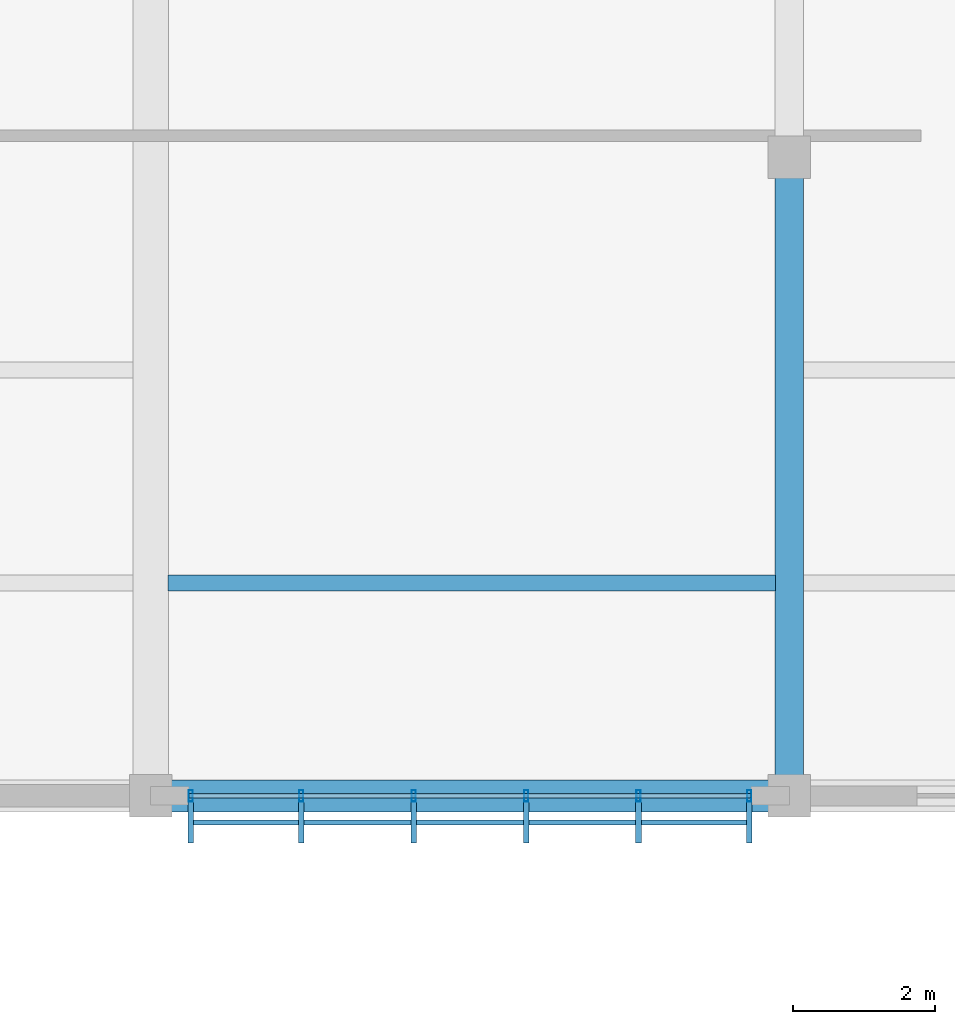
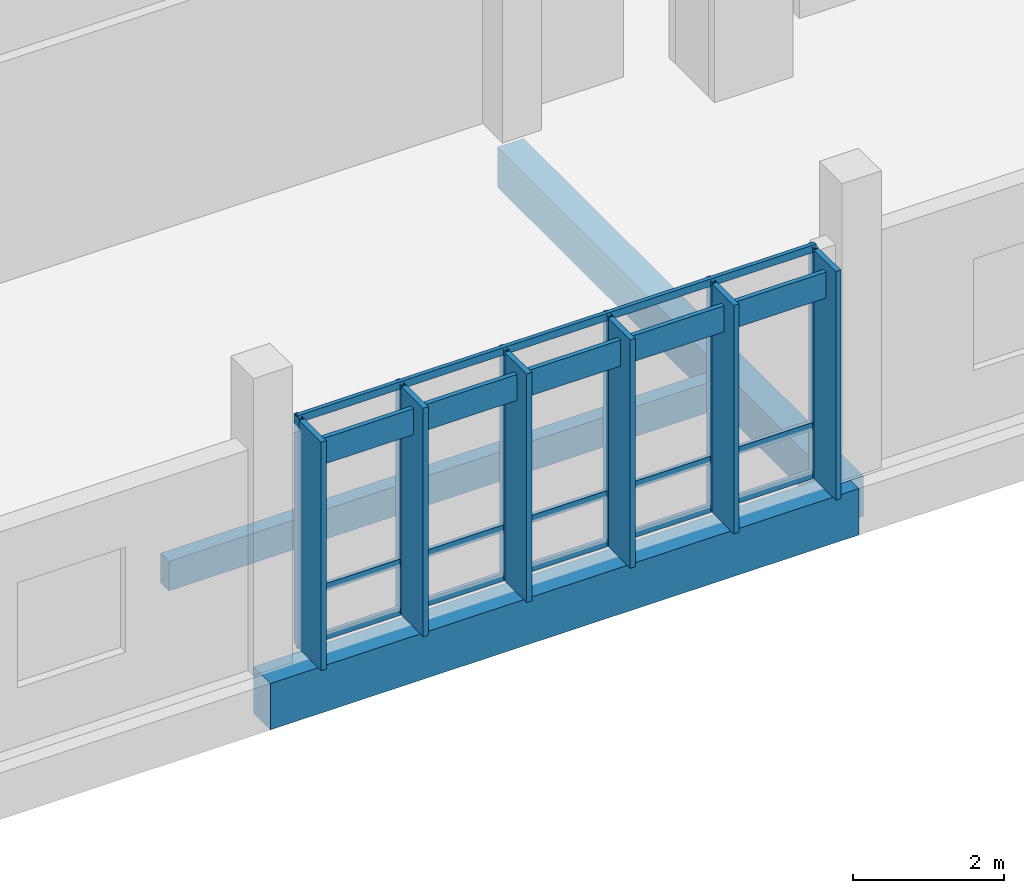
# One storey, part 81 of 177: 16 members, 3 beams, 1 element without a shape of its own.
"""IFC4 building model written with IfcOpenShell, lengths in metres."""

from ifc_helpers import new_model, si_unit, direction, frame, origin, origin_2d, place, context, subcontext, project, spatial, rectangle, hollow_rectangle, extrude, material, material_profile, profile_set, type_object, element, aggregate, save


model = new_model("IFC4")

# Units and contexts
model_context = context("Model", 3, precision=1e-05, world=origin(), true_north=direction((0.0, 1.0)))
body_context = subcontext(model_context, "Body", "Model", "MODEL_VIEW")
ifc_project = project(units=[si_unit("LENGTHUNIT", "METRE"), si_unit("AREAUNIT", "SQUARE_METRE"), si_unit("VOLUMEUNIT", "CUBIC_METRE"), si_unit("PLANEANGLEUNIT", "RADIAN"), si_unit("MASSUNIT", "GRAM", prefix="KILO")], contexts=[model_context])

# Site, building, storey
site_placement = place(None, origin())
site = spatial("IfcSite", under=ifc_project, at=site_placement, CompositionType="ELEMENT")
building_placement = place(site_placement, origin())
building = spatial("IfcBuilding", under=site, at=building_placement, Name="Chiffa Square Polytechnic", CompositionType="ELEMENT")
storey_placement = place(building_placement, frame((0.0, 0.0, 4.800048828125)))
storey = spatial("IfcBuildingStorey", under=building, at=storey_placement, Name="L01", CompositionType="ELEMENT", Elevation=4.800048828125)

# Beams
ifc_material_1 = material(Name="Concrete C35/45", Category="concrete")
ifc_material_profile_1 = material_profile(ifc_material_1, rectangle(XDim=0.39990234375, YDim=0.64990234375, at=origin_2d()), Name="RC 400x650")
ifc_profile_set_1 = profile_set([ifc_material_profile_1], Name="Concrete C35/45")
beam_type_1 = type_object("IfcBeamType", Name="BM-RC-400X650", PredefinedType="BEAM", material=ifc_profile_set_1)
beam_1_placement = place(storey_placement, frame((75.60009765625, 103.800048828125, -0.60498046875), z_axis=(0.0, 1.0, 0.0), x_axis=(-1.0, 0.0, 0.0)))
element("IfcBeam", 1, at=beam_1_placement, inside=storey, type_object=beam_type_1, Name="Primary floor girder BM-V5-L01-Y-0756-1038", PredefinedType="BEAM", context=body_context, shape_type="SweptSolid", body=[
    extrude(rectangle(XDim=0.39990234375, YDim=0.64990234375, at=origin_2d()), origin(), (0.0, 0.0, 1.0), 9.0),
])
ifc_material_profile_2 = material_profile(ifc_material_1, rectangle(XDim=0.449951171875, YDim=0.75, at=origin_2d()), Name="RC 450x750")
ifc_profile_set_2 = profile_set([ifc_material_profile_2], Name="Concrete C35/45")
beam_type_2 = type_object("IfcBeamType", Name="BM-RC-450X750", PredefinedType="BEAM", material=ifc_profile_set_2)
beam_2_placement = place(storey_placement, frame((66.60009765625, 103.800048828125, -0.655029296875), z_axis=(1.0, 0.0, 0.0), x_axis=(0.0, 1.0, 0.0)))
element("IfcBeam", 2, at=beam_2_placement, inside=storey, type_object=beam_type_2, Name="Primary floor girder BM-V5-L01-X-0666-1038", PredefinedType="BEAM", context=body_context, shape_type="SweptSolid", body=[
    extrude(rectangle(XDim=0.449951171875, YDim=0.75, at=origin_2d()), origin(), (0.0, 0.0, 1.0), 9.0),
])

# Curtain wall, members
ifc_material_2 = material(Name="Aluminium EN AW-6060 T66 and glulam shading", Category="wood")
curtain_wall_type = type_object("IfcCurtainWallType", Name="CW-VERT-450X440", PredefinedType="USERDEFINED", material=ifc_material_2)
curtain_wall_placement = place(storey_placement, origin())
curtain_wall = element("IfcCurtainWall", 3, at=curtain_wall_placement, inside=storey, type_object=curtain_wall_type, Name="Curtain wall CW-V5-L01-200", ObjectType="CURTAIN WALL", PredefinedType="USERDEFINED")
ifc_material_3 = material(Name="Aluminium EN AW-6060 T66", Category="aluminium")
ifc_material_profile_3 = material_profile(ifc_material_3, hollow_rectangle(XDim=0.06005859375, YDim=0.159912109375, WallThickness=0.00390625, at=origin_2d()), Name="ALU 60x160x4")
ifc_profile_set_3 = profile_set([ifc_material_profile_3], Name="Aluminium EN AW-6060 T66")
member_type_1 = type_object("IfcMemberType", Name="CWM-ALU-65X150", PredefinedType="MULLION", material=ifc_profile_set_3)
member_1_placement = place(storey_placement, frame((67.1650390625, 103.800048828125, 0.0), z_axis=(0.0, 0.0, 1.0), x_axis=(1.0, 0.0, 0.0)))
member_1 = element("IfcMember", 4, at=member_1_placement, type_object=member_type_1, Name="Curtain wall mullion CW-V5-L01-200-M00", PredefinedType="MULLION", context=body_context, shape_type="SweptSolid", body=[
    extrude(hollow_rectangle(XDim=0.06005859375, YDim=0.159912109375, WallThickness=0.00390625, at=origin_2d()), origin(), (0.0, 0.0, 1.0), 3.71484375),
])
member_2_placement = place(storey_placement, frame((68.72412109375, 103.800048828125, 0.0), z_axis=(0.0, 0.0, 1.0), x_axis=(1.0, 0.0, 0.0)))
member_2 = element("IfcMember", 5, at=member_2_placement, type_object=member_type_1, Name="Curtain wall mullion CW-V5-L01-200-M01", PredefinedType="MULLION", context=body_context, shape_type="SweptSolid", body=[
    extrude(hollow_rectangle(XDim=0.06005859375, YDim=0.159912109375, WallThickness=0.00390625, at=origin_2d()), origin(), (0.0, 0.0, 1.0), 3.71484375),
])
member_3_placement = place(storey_placement, frame((70.30810546875, 103.800048828125, 0.0), z_axis=(0.0, 0.0, 1.0), x_axis=(1.0, 0.0, 0.0)))
member_3 = element("IfcMember", 6, at=member_3_placement, type_object=member_type_1, Name="Curtain wall mullion CW-V5-L01-200-M02", PredefinedType="MULLION", context=body_context, shape_type="SweptSolid", body=[
    extrude(hollow_rectangle(XDim=0.06005859375, YDim=0.159912109375, WallThickness=0.00390625, at=origin_2d()), origin(), (0.0, 0.0, 1.0), 3.71484375),
])
member_4_placement = place(storey_placement, frame((71.89208984375, 103.800048828125, 0.0), z_axis=(0.0, 0.0, 1.0), x_axis=(1.0, 0.0, 0.0)))
member_4 = element("IfcMember", 7, at=member_4_placement, type_object=member_type_1, Name="Curtain wall mullion CW-V5-L01-200-M03", PredefinedType="MULLION", context=body_context, shape_type="SweptSolid", body=[
    extrude(hollow_rectangle(XDim=0.06005859375, YDim=0.159912109375, WallThickness=0.00390625, at=origin_2d()), origin(), (0.0, 0.0, 1.0), 3.71484375),
])
member_5_placement = place(storey_placement, frame((73.47607421875, 103.800048828125, 0.0), z_axis=(0.0, 0.0, 1.0), x_axis=(1.0, 0.0, 0.0)))
member_5 = element("IfcMember", 8, at=member_5_placement, type_object=member_type_1, Name="Curtain wall mullion CW-V5-L01-200-M04", PredefinedType="MULLION", context=body_context, shape_type="SweptSolid", body=[
    extrude(hollow_rectangle(XDim=0.06005859375, YDim=0.159912109375, WallThickness=0.00390625, at=origin_2d()), origin(), (0.0, 0.0, 1.0), 3.71484375),
])
member_6_placement = place(storey_placement, frame((75.034912109375, 103.800048828125, 0.0), z_axis=(0.0, 0.0, 1.0), x_axis=(1.0, 0.0, 0.0)))
member_6 = element("IfcMember", 9, at=member_6_placement, type_object=member_type_1, Name="Curtain wall mullion CW-V5-L01-200-M05", PredefinedType="MULLION", context=body_context, shape_type="SweptSolid", body=[
    extrude(hollow_rectangle(XDim=0.06005859375, YDim=0.159912109375, WallThickness=0.00390625, at=origin_2d()), origin(), (0.0, 0.0, 1.0), 3.71484375),
])
ifc_material_4 = material(Name="Glulam GL28h", Category="wood")
ifc_material_profile_4 = material_profile(ifc_material_4, rectangle(XDim=0.080078125, YDim=0.580078125, at=origin_2d()), Name="GL28h 80x580")
ifc_profile_set_4 = profile_set([ifc_material_profile_4], Name="Glulam GL28h")
member_type_2 = type_object("IfcMemberType", Name="CWM-GL-80X580", PredefinedType="MULLION", material=ifc_profile_set_4)
member_7_placement = place(storey_placement, frame((67.1650390625, 103.427978515625, 0.010009765625), z_axis=(0.0, 0.0, 1.0), x_axis=(1.0, 0.0, 0.0)))
member_7 = element("IfcMember", 10, at=member_7_placement, type_object=member_type_2, Name="Exterior glulam solar fin CW-V5-L01-200-FN00", PredefinedType="MULLION", context=body_context, shape_type="SweptSolid", body=[
    extrude(rectangle(XDim=0.080078125, YDim=0.580078125, at=origin_2d()), origin(), (0.0, 0.0, 1.0), 3.69482421875),
])
member_8_placement = place(storey_placement, frame((68.72412109375, 103.427978515625, 0.010009765625), z_axis=(0.0, 0.0, 1.0), x_axis=(1.0, 0.0, 0.0)))
member_8 = element("IfcMember", 11, at=member_8_placement, type_object=member_type_2, Name="Exterior glulam solar fin CW-V5-L01-200-FN01", PredefinedType="MULLION", context=body_context, shape_type="SweptSolid", body=[
    extrude(rectangle(XDim=0.080078125, YDim=0.580078125, at=origin_2d()), origin(), (0.0, 0.0, 1.0), 3.69482421875),
])
member_9_placement = place(storey_placement, frame((70.30810546875, 103.427978515625, 0.010009765625), z_axis=(0.0, 0.0, 1.0), x_axis=(1.0, 0.0, 0.0)))
member_9 = element("IfcMember", 12, at=member_9_placement, type_object=member_type_2, Name="Exterior glulam solar fin CW-V5-L01-200-FN02", PredefinedType="MULLION", context=body_context, shape_type="SweptSolid", body=[
    extrude(rectangle(XDim=0.080078125, YDim=0.580078125, at=origin_2d()), origin(), (0.0, 0.0, 1.0), 3.69482421875),
])
member_10_placement = place(storey_placement, frame((71.89208984375, 103.427978515625, 0.010009765625), z_axis=(0.0, 0.0, 1.0), x_axis=(1.0, 0.0, 0.0)))
member_10 = element("IfcMember", 13, at=member_10_placement, type_object=member_type_2, Name="Exterior glulam solar fin CW-V5-L01-200-FN03", PredefinedType="MULLION", context=body_context, shape_type="SweptSolid", body=[
    extrude(rectangle(XDim=0.080078125, YDim=0.580078125, at=origin_2d()), origin(), (0.0, 0.0, 1.0), 3.69482421875),
])
member_11_placement = place(storey_placement, frame((73.47607421875, 103.427978515625, 0.010009765625), z_axis=(0.0, 0.0, 1.0), x_axis=(1.0, 0.0, 0.0)))
member_11 = element("IfcMember", 14, at=member_11_placement, type_object=member_type_2, Name="Exterior glulam solar fin CW-V5-L01-200-FN04", PredefinedType="MULLION", context=body_context, shape_type="SweptSolid", body=[
    extrude(rectangle(XDim=0.080078125, YDim=0.580078125, at=origin_2d()), origin(), (0.0, 0.0, 1.0), 3.69482421875),
])
member_12_placement = place(storey_placement, frame((75.034912109375, 103.427978515625, 0.010009765625), z_axis=(0.0, 0.0, 1.0), x_axis=(1.0, 0.0, 0.0)))
member_12 = element("IfcMember", 15, at=member_12_placement, type_object=member_type_2, Name="Exterior glulam solar fin CW-V5-L01-200-FN05", PredefinedType="MULLION", context=body_context, shape_type="SweptSolid", body=[
    extrude(rectangle(XDim=0.080078125, YDim=0.580078125, at=origin_2d()), origin(), (0.0, 0.0, 1.0), 3.69482421875),
])
ifc_material_profile_5 = material_profile(ifc_material_3, hollow_rectangle(XDim=0.06005859375, YDim=0.1201171875, WallThickness=0.00390625, at=origin_2d()), Name="ALU 60x120x4")
ifc_profile_set_5 = profile_set([ifc_material_profile_5], Name="Aluminium EN AW-6060 T66")
member_type_3 = type_object("IfcMemberType", Name="CWT-ALU-65X120", PredefinedType="USERDEFINED", material=ifc_profile_set_5)
member_13_placement = place(storey_placement, frame((67.137939453125, 103.800048828125, 0.030029296875), z_axis=(1.0, 0.0, 0.0), x_axis=(0.0, 1.0, 0.0)))
member_13 = element("IfcMember", 16, at=member_13_placement, type_object=member_type_3, Name="Curtain wall transom CW-V5-L01-200-T01", ObjectType="TRANSOM", PredefinedType="USERDEFINED", context=body_context, shape_type="SweptSolid", body=[
    extrude(hollow_rectangle(XDim=0.06005859375, YDim=0.1201171875, WallThickness=0.00390625, at=origin_2d()), origin(), (0.0, 0.0, 1.0), 7.924072265625),
])
member_14_placement = place(storey_placement, frame((67.137939453125, 103.800048828125, 0.820068359375), z_axis=(1.0, 0.0, 0.0), x_axis=(0.0, 1.0, 0.0)))
member_14 = element("IfcMember", 17, at=member_14_placement, type_object=member_type_3, Name="Curtain wall transom CW-V5-L01-200-T02", ObjectType="TRANSOM", PredefinedType="USERDEFINED", context=body_context, shape_type="SweptSolid", body=[
    extrude(hollow_rectangle(XDim=0.06005859375, YDim=0.1201171875, WallThickness=0.00390625, at=origin_2d()), origin(), (0.0, 0.0, 1.0), 7.924072265625),
])
member_15_placement = place(storey_placement, frame((67.137939453125, 103.800048828125, 3.68505859375), z_axis=(1.0, 0.0, 0.0), x_axis=(0.0, 1.0, 0.0)))
member_15 = element("IfcMember", 18, at=member_15_placement, type_object=member_type_3, Name="Curtain wall transom CW-V5-L01-200-T03", ObjectType="TRANSOM", PredefinedType="USERDEFINED", context=body_context, shape_type="SweptSolid", body=[
    extrude(hollow_rectangle(XDim=0.06005859375, YDim=0.1201171875, WallThickness=0.00390625, at=origin_2d()), origin(), (0.0, 0.0, 1.0), 7.924072265625),
])
ifc_material_profile_6 = material_profile(ifc_material_4, rectangle(XDim=0.070068359375, YDim=0.419921875, at=origin_2d()), Name="GL28h 70x420")
ifc_profile_set_6 = profile_set([ifc_material_profile_6], Name="Glulam GL28h")
member_type_4 = type_object("IfcMemberType", Name="CWT-GL-70X420", PredefinedType="USERDEFINED", material=ifc_profile_set_6)
member_16_placement = place(storey_placement, frame((67.1650390625, 103.427978515625, 3.3349609375), z_axis=(1.0, 0.0, 0.0), x_axis=(0.0, 1.0, 0.0)))
member_16 = element("IfcMember", 19, at=member_16_placement, type_object=member_type_4, Name="Exterior glulam brise-soleil CW-V5-L01-200-BS01", ObjectType="TRANSOM", PredefinedType="USERDEFINED", context=body_context, shape_type="SweptSolid", body=[
    extrude(rectangle(XDim=0.070068359375, YDim=0.419921875, at=origin_2d()), origin(), (0.0, 0.0, 1.0), 7.869873046875),
])
aggregate(curtain_wall, [member_1, member_7, member_2, member_8, member_3, member_9, member_4, member_10, member_5, member_11, member_6, member_12, member_13, member_14, member_15, member_16])

# Beam
ifc_material_profile_7 = material_profile(ifc_material_4, rectangle(XDim=0.219970703125, YDim=0.47998046875, at=origin_2d()), Name="GL28h 220x480")
ifc_profile_set_7 = profile_set([ifc_material_profile_7], Name="Glulam GL28h")
beam_type_3 = type_object("IfcBeamType", Name="JST-GL-220X480", PredefinedType="JOIST", material=ifc_profile_set_7)
beam_3_placement = place(storey_placement, frame((66.847900390625, 106.800048828125, -0.52001953125), z_axis=(1.0, 0.0, 0.0), x_axis=(0.0, 1.0, 0.0)))
element("IfcBeam", 20, at=beam_3_placement, inside=storey, type_object=beam_type_3, Name="Secondary floor joist JST-V5-L01-0666-1068", PredefinedType="JOIST", context=body_context, shape_type="SweptSolid", body=[
    extrude(rectangle(XDim=0.219970703125, YDim=0.47998046875, at=origin_2d()), origin(), (0.0, 0.0, 1.0), 8.55419921875),
])

save(model, "model.ifc")
